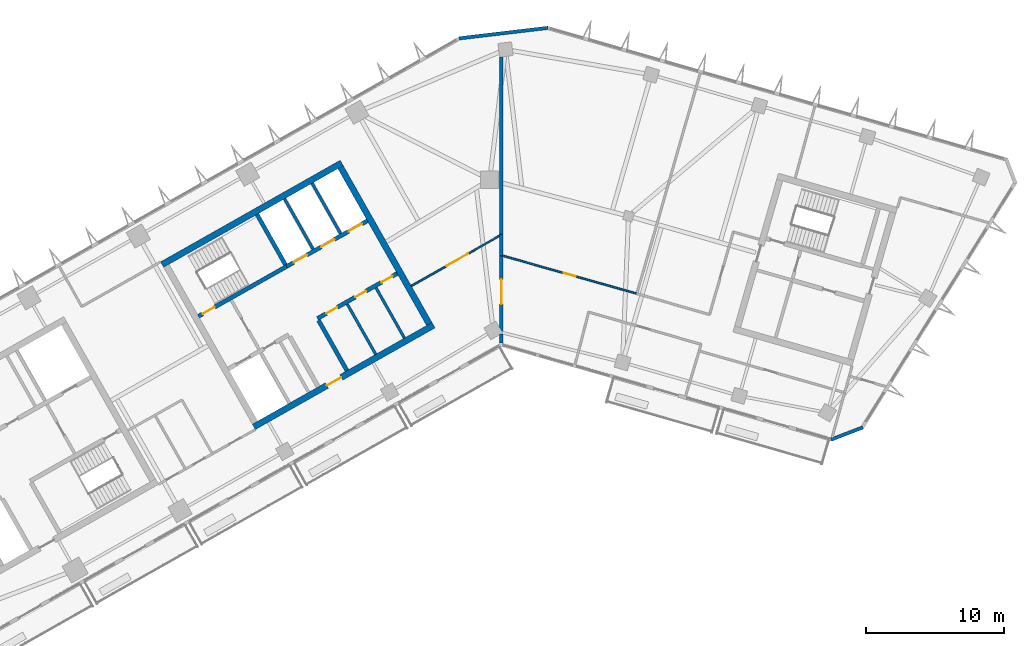
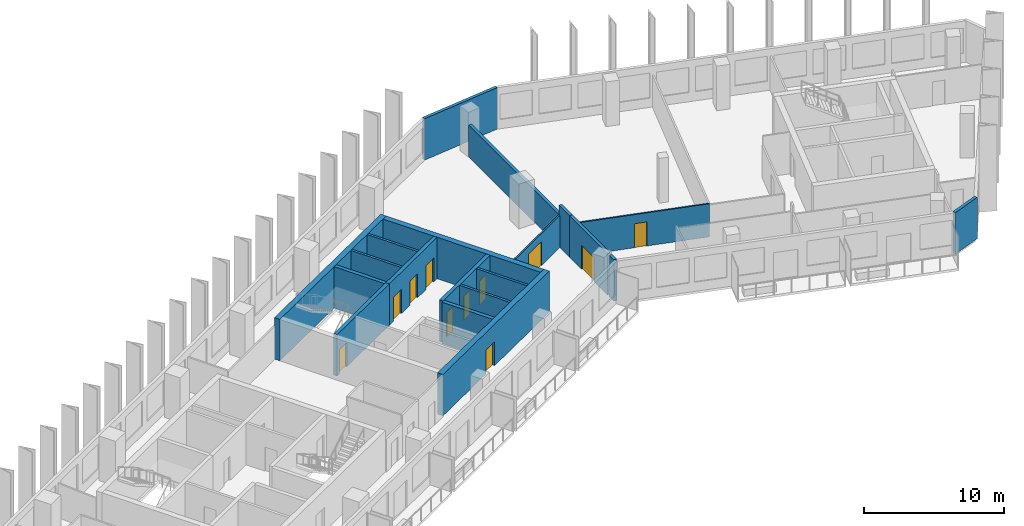
# One storey, part 6 of 12: 20 walls, 11 doors, 11 openings.
"""IFC4 building model written with IfcOpenShell, lengths in metres."""

import ifcopenshell
import ifcopenshell.guid

model = None  # the IFC model being written
_history = None  # IfcOwnerHistory: only IFC2X3 demands one
_inside = {}  # id of a spatial element -> (the spatial element, [elements in it])
_under = {}  # id of a project, library or spatial element -> (it, [spatial elements below it])
_declared = {}  # id of a project -> (the project, [libraries it declares])
_typed = {}  # id of a type object -> (the type object, [elements of that type])
_made_of = {}  # id of a material, layer set ... -> (it, [elements and type objects made of it])


def new_model(schema):
    """Start an empty IFC model of exactly this schema.

    Asked for "IFC4X3", IfcOpenShell would pick the latest addendum, in which some entities
    have other attributes; the version numbers below select the first issue.
    IFC2X3 requires an IfcOwnerHistory on every rooted entity: one is made here for all.
    """
    global model, _history
    if schema == "IFC4X3":
        model = ifcopenshell.file(schema_version=(4, 3, 0, 0))
    else:
        model = ifcopenshell.file(schema=schema)
    _inside.clear()
    _under.clear()
    _declared.clear()
    _typed.clear()
    _made_of.clear()
    _history = None
    if model.schema == "IFC2X3":
        org = make("IfcOrganization", Name="unknown")
        user = make(
            "IfcPersonAndOrganization",
            ThePerson=make("IfcPerson", FamilyName="unknown"),
            TheOrganization=org,
        )
        app = make(
            "IfcApplication",
            ApplicationDeveloper=org,
            Version="unknown",
            ApplicationFullName="unknown",
            ApplicationIdentifier="unknown",
        )
        _history = make(
            "IfcOwnerHistory",
            OwningUser=user,
            OwningApplication=app,
            ChangeAction="ADDED",
            CreationDate=0,
        )
    return model


def make(cls, **values):
    """One entity of the class cls with the attributes given. An attribute that is None is left unset."""
    return model.create_entity(
        cls, **{name: value for name, value in values.items() if value is not None}
    )


def rooted(cls, **values):
    """An entity with a GlobalId (a new one), such as an element, a storey or a relation."""
    return make(cls, GlobalId=ifcopenshell.guid.new(), OwnerHistory=_history, **values)


def si_unit(unit_type, name, prefix=None):
    """IfcSIUnit, for example si_unit("LENGTHUNIT", "METRE", prefix="MILLI")."""
    return make("IfcSIUnit", UnitType=unit_type, Prefix=prefix, Name=name)


def assignment(units):
    """IfcUnitAssignment: the units of a project."""
    return None if units is None else make("IfcUnitAssignment", Units=units)


def point(xyz):
    """IfcCartesianPoint."""
    return None if xyz is None else make("IfcCartesianPoint", Coordinates=xyz)


def direction(xyz):
    """IfcDirection."""
    return None if xyz is None else make("IfcDirection", DirectionRatios=xyz)


def frame(location, z_axis=None, x_axis=None):
    """IfcAxis2Placement3D, a coordinate frame: its origin and axes. An axis left out is left unset."""
    return make(
        "IfcAxis2Placement3D",
        Location=point(location),
        Axis=direction(z_axis),
        RefDirection=direction(x_axis),
    )


def frame_2d(location, x_axis=None):
    """IfcAxis2Placement2D, a coordinate frame in the plane: its origin and x axis."""
    return make(
        "IfcAxis2Placement2D", Location=point(location), RefDirection=direction(x_axis)
    )


def origin():
    """The frame at (0, 0, 0) with its axes left unset."""
    return frame((0.0, 0.0, 0.0))


def place(relative_to, where):
    """IfcLocalPlacement: puts the frame where relative to a parent placement (None: the world)."""
    return make(
        "IfcLocalPlacement", PlacementRelTo=relative_to, RelativePlacement=where
    )


def context(
    kind, dimensions, precision=None, world=None, true_north=None, identifier=None
):
    """IfcGeometricRepresentationContext, for example the 3D "Model" context."""
    return make(
        "IfcGeometricRepresentationContext",
        ContextIdentifier=identifier,
        ContextType=kind,
        CoordinateSpaceDimension=dimensions,
        Precision=precision,
        WorldCoordinateSystem=world,
        TrueNorth=true_north,
    )


def subcontext(parent, identifier, kind, view, scale=None):
    """IfcGeometricRepresentationSubContext, for example "Body" below "Model"."""
    return make(
        "IfcGeometricRepresentationSubContext",
        ContextIdentifier=identifier,
        ContextType=kind,
        ParentContext=parent,
        TargetScale=scale,
        TargetView=view,
    )


def project(units=None, contexts=None):
    """IfcProject with its units and contexts."""
    return rooted(
        "IfcProject",
        Name="project",
        RepresentationContexts=contexts,
        UnitsInContext=assignment(units),
    )


def spatial(cls, under=None, at=None, **own):
    """A site, building, storey or space (cls), placed at a placement, below another one or the project."""
    s = rooted(cls, ObjectPlacement=at, **own)
    if under is not None:
        _under.setdefault(under.id(), (under, []))[1].append(s)
    return s


def profile(cls, at=None, kind="AREA", **sizes):
    """A parametric profile (cls). Its sizes go by their IFC names, for example OverallWidth=200.0."""
    return make(cls, ProfileType=kind, Position=at, **sizes)


def rectangle(**sizes):
    """IfcRectangleProfileDef."""
    return profile("IfcRectangleProfileDef", **sizes)


def extrude(swept, where, along, depth):
    """IfcExtrudedAreaSolid: the profile swept, set in the frame where, extruded along a direction by depth."""
    return make(
        "IfcExtrudedAreaSolid",
        SweptArea=swept,
        Position=where,
        ExtrudedDirection=direction(along),
        Depth=depth,
    )


def shape(context_of_items, identifier, shape_type, items):
    """IfcShapeRepresentation: the items that make up one representation, for example the "Body"."""
    return make(
        "IfcShapeRepresentation",
        ContextOfItems=context_of_items,
        RepresentationIdentifier=identifier,
        RepresentationType=shape_type,
        Items=items,
    )


def material(Name=None, Category=None):
    """IfcMaterial."""
    return make("IfcMaterial", Name=Name, Category=Category)


def layer(
    of_material, thickness, ventilated=None, Name=None, Category=None, Priority=None
):
    """IfcMaterialLayer: one layer of a wall or slab, of a material (None: an air gap)."""
    return make(
        "IfcMaterialLayer",
        Material=of_material,
        LayerThickness=thickness,
        IsVentilated=ventilated,
        Name=Name,
        Category=Category,
        Priority=Priority,
    )


def layer_set(layers, Name=None):
    """IfcMaterialLayerSet."""
    return make("IfcMaterialLayerSet", MaterialLayers=layers, LayerSetName=Name)


def made_of(thing, what):
    """Note that an element or type object is made of a material, layer set ...; save() writes the relation."""
    if what is not None:
        _made_of.setdefault(what.id(), (what, []))[1].append(thing)
    return thing


def type_object(cls, material=None, **own):
    """A type object (cls), such as IfcWallType, which elements share."""
    return made_of(rooted(cls, **own), material)


def element(
    cls,
    number,
    at=None,
    inside=None,
    cuts=None,
    type_object=None,
    material=None,
    context=None,
    identifier="Body",
    shape_type=None,
    held_by="IfcProductDefinitionShape",
    body=None,
    shapes=None,
    **own,
):
    """One element of the class cls, such as IfcWall. Its Tag is "e" and its number.

    at: its placement. inside: the storey or other place that contains it. cuts: it is an
    opening in that element (IfcRelVoidsElement). A single representation is given by context,
    identifier, shape_type and body (its items); several are given by shapes. held_by: the class
    of the entity that holds the representations. save() writes the other relations.
    """
    e = rooted(cls, Tag="e%d" % number, ObjectPlacement=at, **own)
    if body is not None:
        shapes = [shape(context, identifier, shape_type, body)]
    if shapes is not None:
        e.Representation = make(held_by, Representations=shapes)
    if inside is not None:
        _inside.setdefault(inside.id(), (inside, []))[1].append(e)
    if cuts is not None:
        rooted(
            "IfcRelVoidsElement", RelatingBuildingElement=cuts, RelatedOpeningElement=e
        )
    if type_object is not None:
        _typed.setdefault(type_object.id(), (type_object, []))[1].append(e)
    return made_of(e, material)


def fill(opening, filler):
    """IfcRelFillsElement: the door or window that sits in an opening."""
    return rooted(
        "IfcRelFillsElement",
        RelatingOpeningElement=opening,
        RelatedBuildingElement=filler,
    )


def aggregate(whole, parts):
    """IfcRelAggregates: a whole, such as a stair, and the parts it consists of."""
    return rooted("IfcRelAggregates", RelatingObject=whole, RelatedObjects=parts)


def save(model, path):
    """Write the relations noted so far, then the file.

    IfcRelAggregates (storeys below a building ...), IfcRelContainedInSpatialStructure (elements
    in a storey), IfcRelDefinesByType, IfcRelAssociatesMaterial and IfcRelDeclares: one each for
    every whole, place, type object, material and project.
    """
    for whole, parts in _under.values():
        aggregate(whole, parts)
    for where, things in _inside.values():
        rooted(
            "IfcRelContainedInSpatialStructure",
            RelatedElements=things,
            RelatingStructure=where,
        )
    for kind, things in _typed.values():
        rooted("IfcRelDefinesByType", RelatedObjects=things, RelatingType=kind)
    for what, things in _made_of.values():
        rooted("IfcRelAssociatesMaterial", RelatedObjects=things, RelatingMaterial=what)
    for by, libraries in _declared.values():
        rooted("IfcRelDeclares", RelatingContext=by, RelatedDefinitions=libraries)
    model.write(path)


model = new_model("IFC4")

# Units and contexts
model_context = context("Model", 3, precision=1e-05, world=origin(), true_north=direction((0.0, 1.0)))
body_context = subcontext(model_context, "Body", "Model", "MODEL_VIEW")
ifc_project = project(units=[si_unit("LENGTHUNIT", "METRE"), si_unit("AREAUNIT", "SQUARE_METRE"), si_unit("VOLUMEUNIT", "CUBIC_METRE"), si_unit("PLANEANGLEUNIT", "RADIAN"), si_unit("MASSUNIT", "GRAM", prefix="KILO")], contexts=[model_context])

# Site, building, storey
site_placement = place(None, origin())
site = spatial("IfcSite", under=ifc_project, at=site_placement, CompositionType="ELEMENT")
building_placement = place(site_placement, origin())
building = spatial("IfcBuilding", under=site, at=building_placement, Name="Binnacle Exchange Tower", CompositionType="ELEMENT")
storey_placement = place(building_placement, frame((0.0, 0.0, 238.699951171875)))
storey = spatial("IfcBuildingStorey", under=building, at=storey_placement, Name="L52", CompositionType="ELEMENT", Elevation=238.699951171875)

# Walls
ifc_material_1 = material(Name="Gypsum partition fire rated")
ifc_layer_1 = layer(ifc_material_1, 0.199951171875)
ifc_layer_set_1 = layer_set([ifc_layer_1], Name="Core partition 200")
wall_type_1 = type_object("IfcWallType", Name="Core partition 200", PredefinedType="PARTITIONING", material=ifc_layer_set_1)
wall_1_placement = place(storey_placement, frame((-11.201904296875, 50.96240234375, 0.0), z_axis=(0.0, 0.0, 1.0), x_axis=(0.492453686477, -0.870338650569, 0.0)))
element("IfcWall", 1, at=wall_1_placement, inside=storey, type_object=wall_type_1, Name="Core wall CRWC19", PredefinedType="PARTITIONING", context=body_context, shape_type="SweptSolid", body=[
    extrude(rectangle(XDim=4.2001953125, YDim=0.199951171875, at=frame_2d((2.10009765625, 0.0))), origin(), (0.0, 0.0, 1.0), 3.6201171875),
])
wall_2_placement = place(storey_placement, frame((-9.11279296875, 52.14404296875, 0.0), z_axis=(0.0, 0.0, 1.0), x_axis=(0.492365617434, -0.870388475779, 0.0)))
element("IfcWall", 2, at=wall_2_placement, inside=storey, type_object=wall_type_1, Name="Core wall CRWC22", PredefinedType="PARTITIONING", context=body_context, shape_type="SweptSolid", body=[
    extrude(rectangle(XDim=4.199951171875, YDim=0.199951171875, at=frame_2d((2.10009765625, 0.0))), origin(), (0.0, 0.0, 1.0), 3.6201171875),
])

# Wall, openings, doors
ifc_material_2 = material(Name="Concrete C70/85", Category="concrete")
ifc_layer_2 = layer(ifc_material_2, 0.300048828125)
ifc_layer_set_2 = layer_set([ifc_layer_2], Name="Core wall - front 300")
wall_type_2 = type_object("IfcWallType", Name="Core wall - front 300", PredefinedType="SOLIDWALL", material=ifc_layer_set_2)
wall_3_placement = place(storey_placement, frame((-13.364501953125, 49.910888671875, 0.0), z_axis=(0.0, 0.0, 1.0), x_axis=(0.870352159619, 0.492429810477, 0.0)))
wall_3 = element("IfcWall", 3, at=wall_3_placement, inside=storey, type_object=wall_type_2, Name="Core wall CRWC3", PredefinedType="SOLIDWALL", context=body_context, shape_type="SweptSolid", body=[
    extrude(rectangle(XDim=6.64990234375, YDim=0.300048828125, at=frame_2d((3.324951171875, 0.0))), origin(), (0.0, 0.0, 1.0), 3.6201171875),
])
opening_1_placement = place(wall_3_placement, frame((0.75, 0.0, 0.0)))
opening_1 = element("IfcOpeningElement", 4, at=opening_1_placement, cuts=wall_3, Name="Opening DC18", PredefinedType="OPENING", context=body_context, shape_type="SweptSolid", body=[
    extrude(rectangle(XDim=0.89990234375, YDim=2.10009765625, at=frame_2d((0.449951171875, 1.050048828125))), frame((0.0, 0.159912109375, 0.0), z_axis=(0.0, -1.0, 0.0), x_axis=(1.0, 0.0, 0.0)), (0.0, 0.0, 1.0), 0.320068359375),
])
opening_2_placement = place(wall_3_placement, frame((3.14990234375, 0.0, 0.0)))
opening_2 = element("IfcOpeningElement", 5, at=opening_2_placement, cuts=wall_3, Name="Opening DC19", PredefinedType="OPENING", context=body_context, shape_type="SweptSolid", body=[
    extrude(rectangle(XDim=0.89990234375, YDim=2.10009765625, at=frame_2d((0.449951171875, 1.050048828125))), frame((0.0, 0.159912109375, 0.0), z_axis=(0.0, -1.0, 0.0), x_axis=(1.0, 0.0, 0.0)), (0.0, 0.0, 1.0), 0.320068359375),
])
opening_3_placement = place(wall_3_placement, frame((5.35009765625, 0.0, 0.0)))
opening_3 = element("IfcOpeningElement", 6, at=opening_3_placement, cuts=wall_3, Name="Opening DC20", PredefinedType="OPENING", context=body_context, shape_type="SweptSolid", body=[
    extrude(rectangle(XDim=0.89990234375, YDim=2.10009765625, at=frame_2d((0.449951171875, 1.050048828125))), frame((0.0, 0.159912109375, 0.0), z_axis=(0.0, -1.0, 0.0), x_axis=(1.0, 0.0, 0.0)), (0.0, 0.0, 1.0), 0.320068359375),
])
ifc_material_3 = material(Name="Steel door leaf", Category="steel")
door_type_1 = type_object("IfcDoorType", Name="Fire door 900", OperationType="NOTDEFINED", PredefinedType="DOOR", material=ifc_material_3)
door_1_placement = place(opening_1_placement, frame((0.89990234375, 0.0, 0.0), z_axis=(0.0, 0.0, 1.0), x_axis=(-1.0, 0.0, 0.0)))
door_1 = element("IfcDoor", 7, at=door_1_placement, inside=storey, type_object=door_type_1, Name="Core room door IT STORE", OperationType="SINGLE_SWING_RIGHT", OverallHeight=2.10009765625, OverallWidth=0.89990234375, PredefinedType="DOOR", context=body_context, shape_type="SweptSolid", body=[
    extrude(rectangle(XDim=0.89990234375, YDim=2.10009765625, at=frame_2d((0.449951171875, 1.050048828125))), frame((0.0, 0.02490234375, 0.0), z_axis=(0.0, -1.0, 0.0), x_axis=(1.0, 0.0, 0.0)), (0.0, 0.0, 1.0), 0.050048828125),
])
fill(opening_1, door_1)
door_2_placement = place(opening_2_placement, frame((0.89990234375, 0.0, 0.0), z_axis=(0.0, 0.0, 1.0), x_axis=(-1.0, 0.0, 0.0)))
door_2 = element("IfcDoor", 8, at=door_2_placement, inside=storey, type_object=door_type_1, Name="Core room door UPS CUPBOARD", OperationType="SINGLE_SWING_LEFT", OverallHeight=2.10009765625, OverallWidth=0.89990234375, PredefinedType="DOOR", context=body_context, shape_type="SweptSolid", body=[
    extrude(rectangle(XDim=0.89990234375, YDim=2.10009765625, at=frame_2d((0.449951171875, 1.050048828125))), frame((0.0, 0.02490234375, 0.0), z_axis=(0.0, -1.0, 0.0), x_axis=(1.0, 0.0, 0.0)), (0.0, 0.0, 1.0), 0.050048828125),
])
fill(opening_2, door_2)
door_3_placement = place(opening_3_placement, frame((0.89990234375, 0.0, 0.0), z_axis=(0.0, 0.0, 1.0), x_axis=(-1.0, 0.0, 0.0)))
door_3 = element("IfcDoor", 9, at=door_3_placement, inside=storey, type_object=door_type_1, Name="Core room door FIBRE ENTRY ROOM", OperationType="SINGLE_SWING_LEFT", OverallHeight=2.10009765625, OverallWidth=0.89990234375, PredefinedType="DOOR", context=body_context, shape_type="SweptSolid", body=[
    extrude(rectangle(XDim=0.89990234375, YDim=2.10009765625, at=frame_2d((0.449951171875, 1.050048828125))), frame((0.0, 0.02490234375, 0.0), z_axis=(0.0, -1.0, 0.0), x_axis=(1.0, 0.0, 0.0)), (0.0, 0.0, 1.0), 0.050048828125),
])
fill(opening_3, door_3)

wall_4_placement = place(storey_placement, frame((-15.6181640625, 53.69140625, 0.0), z_axis=(0.0, 0.0, 1.0), x_axis=(0.870358646884, 0.492418344291, 0.0)))
wall_4 = element("IfcWall", 10, at=wall_4_placement, inside=storey, type_object=wall_type_2, Name="Core wall CRWC5", PredefinedType="SOLIDWALL", context=body_context, shape_type="SweptSolid", body=[
    extrude(rectangle(XDim=6.749755859375, YDim=0.300048828125, at=frame_2d((3.375, 0.0))), origin(), (0.0, 0.0, 1.0), 3.6201171875),
])
opening_4_placement = place(wall_4_placement, frame((0.60009765625, 0.0, 0.0)))
opening_4 = element("IfcOpeningElement", 11, at=opening_4_placement, cuts=wall_4, Name="Opening LD5", PredefinedType="OPENING", context=body_context, shape_type="SweptSolid", body=[
    extrude(rectangle(XDim=1.10009765625, YDim=2.10009765625, at=frame_2d((0.550048828125, 1.050048828125))), frame((0.0, 0.159912109375, 0.0), z_axis=(0.0, -1.0, 0.0), x_axis=(1.0, 0.0, 0.0)), (0.0, 0.0, 1.0), 0.320068359375),
])
opening_5_placement = place(wall_4_placement, frame((2.89990234375, 0.0, 0.0)))
opening_5 = element("IfcOpeningElement", 12, at=opening_5_placement, cuts=wall_4, Name="Opening LD6", PredefinedType="OPENING", context=body_context, shape_type="SweptSolid", body=[
    extrude(rectangle(XDim=1.10009765625, YDim=2.10009765625, at=frame_2d((0.550048828125, 1.050048828125))), frame((0.0, 0.159912109375, 0.0), z_axis=(0.0, -1.0, 0.0), x_axis=(1.0, 0.0, 0.0)), (0.0, 0.0, 1.0), 0.320068359375),
])
opening_6_placement = place(wall_4_placement, frame((5.199951171875, 0.0, 0.0)))
opening_6 = element("IfcOpeningElement", 13, at=opening_6_placement, cuts=wall_4, Name="Opening LD7", PredefinedType="OPENING", context=body_context, shape_type="SweptSolid", body=[
    extrude(rectangle(XDim=1.10009765625, YDim=2.10009765625, at=frame_2d((0.550048828125, 1.050048828125))), frame((0.0, 0.159912109375, 0.0), z_axis=(0.0, -1.0, 0.0), x_axis=(1.0, 0.0, 0.0)), (0.0, 0.0, 1.0), 0.320068359375),
])
door_type_2 = type_object("IfcDoorType", Name="Fire door - lift landing 1100", OperationType="NOTDEFINED", PredefinedType="DOOR", material=ifc_material_3)
door_4_placement = place(opening_4_placement, origin())
door_4 = element("IfcDoor", 14, at=door_4_placement, inside=storey, type_object=door_type_2, Name="Landing door LD5 L52", OperationType="DOUBLE_DOOR_SLIDING", OverallHeight=2.10009765625, OverallWidth=1.10009765625, PredefinedType="DOOR", context=body_context, shape_type="SweptSolid", body=[
    extrude(rectangle(XDim=1.10009765625, YDim=2.10009765625, at=frame_2d((0.550048828125, 1.050048828125))), frame((0.0, 0.02490234375, 0.0), z_axis=(0.0, -1.0, 0.0), x_axis=(1.0, 0.0, 0.0)), (0.0, 0.0, 1.0), 0.050048828125),
])
fill(opening_4, door_4)
door_5_placement = place(opening_5_placement, origin())
door_5 = element("IfcDoor", 15, at=door_5_placement, inside=storey, type_object=door_type_2, Name="Landing door LD6 L52", OperationType="DOUBLE_DOOR_SLIDING", OverallHeight=2.10009765625, OverallWidth=1.10009765625, PredefinedType="DOOR", context=body_context, shape_type="SweptSolid", body=[
    extrude(rectangle(XDim=1.10009765625, YDim=2.10009765625, at=frame_2d((0.550048828125, 1.050048828125))), frame((0.0, 0.02490234375, 0.0), z_axis=(0.0, -1.0, 0.0), x_axis=(1.0, 0.0, 0.0)), (0.0, 0.0, 1.0), 0.050048828125),
])
fill(opening_5, door_5)
door_6_placement = place(opening_6_placement, origin())
door_6 = element("IfcDoor", 16, at=door_6_placement, inside=storey, type_object=door_type_2, Name="Landing door LD7 L52", OperationType="DOUBLE_DOOR_SLIDING", OverallHeight=2.10009765625, OverallWidth=1.10009765625, PredefinedType="DOOR", context=body_context, shape_type="SweptSolid", body=[
    extrude(rectangle(XDim=1.10009765625, YDim=2.10009765625, at=frame_2d((0.550048828125, 1.050048828125))), frame((0.0, 0.02490234375, 0.0), z_axis=(0.0, -1.0, 0.0), x_axis=(1.0, 0.0, 0.0)), (0.0, 0.0, 1.0), 0.050048828125),
])
fill(opening_6, door_6)

# Wall
wall_5_placement = place(storey_placement, frame((-13.29052734375, 49.780517578125, 0.0), z_axis=(0.0, 0.0, 1.0), x_axis=(0.492409653846, -0.870363563575, 0.0)))
element("IfcWall", 17, at=wall_5_placement, inside=storey, type_object=wall_type_2, Name="Core wall CRWC15", PredefinedType="SOLIDWALL", context=body_context, shape_type="SweptSolid", body=[
    extrude(rectangle(XDim=4.199951171875, YDim=0.300048828125, at=frame_2d((2.10009765625, 0.0))), origin(), (0.0, 0.0, 1.0), 3.6201171875),
])

# Wall, opening, door
ifc_layer_3 = layer(ifc_material_2, 0.449951171875)
ifc_layer_set_3 = layer_set([ifc_layer_3], Name="Core wall - outer 450")
wall_type_3 = type_object("IfcWallType", Name="Core wall - outer 450", PredefinedType="SOLIDWALL", material=ifc_layer_set_3)
wall_6_placement = place(storey_placement, frame((-17.987548828125, 42.0390625, 0.0), z_axis=(0.0, 0.0, 1.0), x_axis=(0.870360574057, 0.492414937962, 0.0)))
wall_6 = element("IfcWall", 18, at=wall_6_placement, inside=storey, type_object=wall_type_3, Name="Core wall CRWC1", PredefinedType="SOLIDWALL", context=body_context, shape_type="SweptSolid", body=[
    extrude(rectangle(XDim=15.0, YDim=0.449951171875, at=frame_2d((7.5, 0.0))), origin(), (0.0, 0.0, 1.0), 3.6201171875),
])
opening_7_placement = place(wall_6_placement, frame((6.10009765625, 0.0, 0.0)))
opening_7 = element("IfcOpeningElement", 19, at=opening_7_placement, cuts=wall_6, Name="Opening DC7", PredefinedType="OPENING", context=body_context, shape_type="SweptSolid", body=[
    extrude(rectangle(XDim=1.199951171875, YDim=2.10009765625, at=frame_2d((0.60009765625, 1.050048828125))), frame((0.0, 0.23486328125, 0.0), z_axis=(0.0, -1.0, 0.0), x_axis=(1.0, 0.0, 0.0)), (0.0, 0.0, 1.0), 0.469970703125),
])
door_type_3 = type_object("IfcDoorType", Name="Fire door 1200", OperationType="NOTDEFINED", PredefinedType="DOOR", material=ifc_material_3)
door_7_placement = place(opening_7_placement, frame((1.199951171875, 0.0, 0.0), z_axis=(0.0, 0.0, 1.0), x_axis=(-1.0, 0.0, 0.0)))
door_7 = element("IfcDoor", 20, at=door_7_placement, inside=storey, type_object=door_type_3, Name="Lift lobby entrance door core C", OperationType="SINGLE_SWING_RIGHT", OverallHeight=2.10009765625, OverallWidth=1.199951171875, PredefinedType="DOOR", context=body_context, shape_type="SweptSolid", body=[
    extrude(rectangle(XDim=1.199951171875, YDim=2.10009765625, at=frame_2d((0.60009765625, 1.050048828125))), frame((0.0, 0.02490234375, 0.0), z_axis=(0.0, -1.0, 0.0), x_axis=(1.0, 0.0, 0.0)), (0.0, 0.0, 1.0), 0.050048828125),
])
fill(opening_7, door_7)

# Walls
wall_7_placement = place(storey_placement, frame((-24.659912109375, 53.832275390625, 0.0), z_axis=(0.0, 0.0, 1.0), x_axis=(0.870353598469, 0.492427267353, 0.0)))
element("IfcWall", 21, at=wall_7_placement, inside=storey, type_object=wall_type_3, Name="Core wall CRWC6", PredefinedType="SOLIDWALL", context=body_context, shape_type="SweptSolid", body=[
    extrude(rectangle(XDim=15.000244140625, YDim=0.449951171875, at=frame_2d((7.5, 0.0))), origin(), (0.0, 0.0, 1.0), 3.6201171875),
])
wall_8_placement = place(storey_placement, frame((-11.689453125, 60.912109375, 0.0), z_axis=(0.0, 0.0, 1.0), x_axis=(0.492421378713, -0.870356930107, 0.0)))
element("IfcWall", 22, at=wall_8_placement, inside=storey, type_object=wall_type_3, Name="Core wall CRWC24", PredefinedType="SOLIDWALL", context=body_context, shape_type="SweptSolid", body=[
    extrude(rectangle(XDim=13.099853515625, YDim=0.449951171875, at=frame_2d((6.5498046875, 0.0))), origin(), (0.0, 0.0, 1.0), 3.6201171875),
])

# Wall, opening, door
ifc_layer_4 = layer(ifc_material_2, 0.300048828125)
ifc_layer_set_4 = layer_set([ifc_layer_4], Name="Core wall - stair 300")
wall_type_4 = type_object("IfcWallType", Name="Core wall - stair 300", PredefinedType="SOLIDWALL", material=ifc_layer_set_4)
wall_9_placement = place(storey_placement, frame((-22.015380859375, 50.072021484375, 0.0), z_axis=(0.0, 0.0, 1.0), x_axis=(0.870354900257, 0.492424966466, 0.0)))
wall_9 = element("IfcWall", 23, at=wall_9_placement, inside=storey, type_object=wall_type_4, Name="Core wall CRWC4", PredefinedType="SOLIDWALL", context=body_context, shape_type="SweptSolid", body=[
    extrude(rectangle(XDim=7.35009765625, YDim=0.300048828125, at=frame_2d((3.675048828125, 0.0))), origin(), (0.0, 0.0, 1.0), 3.6201171875),
])
opening_8_placement = place(wall_9_placement, frame((0.35009765625, 0.0, 0.0)))
opening_8 = element("IfcOpeningElement", 24, at=opening_8_placement, cuts=wall_9, Name="Opening DC1", PredefinedType="OPENING", context=body_context, shape_type="SweptSolid", body=[
    extrude(rectangle(XDim=1.0, YDim=2.10009765625, at=frame_2d((0.5, 1.050048828125))), frame((0.0, 0.159912109375, 0.0), z_axis=(0.0, -1.0, 0.0), x_axis=(1.0, 0.0, 0.0)), (0.0, 0.0, 1.0), 0.320068359375),
])
door_type_4 = type_object("IfcDoorType", Name="Fire door 1000", OperationType="NOTDEFINED", PredefinedType="DOOR", material=ifc_material_3)
door_8_placement = place(opening_8_placement, origin())
door_8 = element("IfcDoor", 25, at=door_8_placement, inside=storey, type_object=door_type_4, Name="Stair door ST-C1", OperationType="SINGLE_SWING_LEFT", OverallHeight=2.10009765625, OverallWidth=1.0, PredefinedType="DOOR", context=body_context, shape_type="SweptSolid", body=[
    extrude(rectangle(XDim=1.0, YDim=2.10009765625, at=frame_2d((0.5, 1.050048828125))), frame((0.0, 0.02490234375, 0.0), z_axis=(0.0, -1.0, 0.0), x_axis=(1.0, 0.0, 0.0)), (0.0, 0.0, 1.0), 0.050048828125),
])
fill(opening_8, door_8)

# Walls
wall_10_placement = place(storey_placement, frame((-17.76025390625, 57.477294921875, 0.0), z_axis=(0.0, 0.0, 1.0), x_axis=(0.49243456751, -0.870349468157, 0.0)))
element("IfcWall", 26, at=wall_10_placement, inside=storey, type_object=wall_type_4, Name="Core wall CRWC14", PredefinedType="SOLIDWALL", context=body_context, shape_type="SweptSolid", body=[
    extrude(rectangle(XDim=4.19970703125, YDim=0.300048828125, at=frame_2d((2.099853515625, 0.0))), origin(), (0.0, 0.0, 1.0), 3.6201171875),
])
ifc_material_4 = material(Name="Bronze aluminium cladding", Category="aluminium")
ifc_layer_5 = layer(ifc_material_4, 0.25)
ifc_layer_set_5 = layer_set([ifc_layer_5], Name="External wall - window wall 250")
wall_type_5 = type_object("IfcWallType", Name="External wall - window wall 250", PredefinedType="STANDARD", material=ifc_layer_set_5)
wall_11_placement = place(storey_placement, frame((26.27001953125, 41.993408203125, 0.0), z_axis=(0.0, 0.0, 1.0), x_axis=(-0.933573798066, -0.358385216722, 0.0)))
element("IfcWall", 27, at=wall_11_placement, inside=storey, type_object=wall_type_5, Name="External wall EW-G03 L52", PredefinedType="STANDARD", context=body_context, shape_type="SweptSolid", body=[
    extrude(rectangle(XDim=2.479736328125, YDim=0.25, at=frame_2d((1.23974609375, 0.0))), origin(), (0.0, 0.0, 1.0), 3.6201171875),
])
wall_12_placement = place(storey_placement, frame((-3.0712890625, 70.2734375, 0.0), z_axis=(0.0, 0.0, 1.0), x_axis=(0.993064524962, 0.11757061394, 0.0)))
element("IfcWall", 28, at=wall_12_placement, inside=storey, type_object=wall_type_5, Name="External wall EW-G07 L52", PredefinedType="STANDARD", context=body_context, shape_type="SweptSolid", body=[
    extrude(rectangle(XDim=6.505859375, YDim=0.25, at=frame_2d((3.2529296875, 0.0))), origin(), (0.0, 0.0, 1.0), 3.6201171875),
])
ifc_material_5 = material(Name="Concrete fire wall C30/37", Category="concrete")
ifc_layer_6 = layer(ifc_material_5, 0.25)
ifc_layer_set_6 = layer_set([ifc_layer_6], Name="Fire wall - compartment 250")
wall_type_6 = type_object("IfcWallType", Name="Fire wall - compartment 250", PredefinedType="PARTITIONING", material=ifc_layer_set_6)
wall_13_placement = place(storey_placement, frame((0.0, 48.1298828125, 0.0), z_axis=(0.0, 0.0, 1.0), x_axis=(0.0, 1.0, 0.0)))
element("IfcWall", 29, at=wall_13_placement, inside=storey, type_object=wall_type_6, Name="Fire Wall W16", PredefinedType="PARTITIONING", context=body_context, shape_type="SweptSolid", body=[
    extrude(rectangle(XDim=0.674072265625, YDim=0.25, at=frame_2d((0.3369140625, 0.0))), origin(), (0.0, 0.0, 1.0), 3.6201171875),
])

# Wall, opening, door
wall_14_placement = place(storey_placement, frame((0.0, 49.014892578125, 0.0), z_axis=(0.0, 0.0, 1.0), x_axis=(0.0, 1.0, 0.0)))
wall_14 = element("IfcWall", 30, at=wall_14_placement, inside=storey, type_object=wall_type_6, Name="Fire Wall W17", PredefinedType="PARTITIONING", context=body_context, shape_type="SweptSolid", body=[
    extrude(rectangle(XDim=5.485107421875, YDim=0.25, at=frame_2d((2.74267578125, 0.0))), origin(), (0.0, 0.0, 1.0), 3.6201171875),
])
opening_9_placement = place(wall_14_placement, frame((1.949951171875, 0.0, 0.0)))
opening_9 = element("IfcOpeningElement", 31, at=opening_9_placement, cuts=wall_14, Name="Opening DL52-12", PredefinedType="OPENING", context=body_context, shape_type="SweptSolid", body=[
    extrude(rectangle(XDim=1.800048828125, YDim=2.10009765625, at=frame_2d((0.89990234375, 1.050048828125))), frame((0.0, 0.135009765625, 0.0), z_axis=(0.0, -1.0, 0.0), x_axis=(1.0, 0.0, 0.0)), (0.0, 0.0, 1.0), 0.27001953125),
])
door_type_5 = type_object("IfcDoorType", Name="Fire door 1800", OperationType="NOTDEFINED", PredefinedType="DOOR", material=ifc_material_3)
door_9_placement = place(opening_9_placement, origin())
door_9 = element("IfcDoor", 32, at=door_9_placement, inside=storey, type_object=door_type_5, Name="Door DL52-12", OperationType="DOUBLE_DOOR_SINGLE_SWING", OverallHeight=2.10009765625, OverallWidth=1.800048828125, PredefinedType="DOOR", context=body_context, shape_type="SweptSolid", body=[
    extrude(rectangle(XDim=1.800048828125, YDim=2.10009765625, at=frame_2d((0.89990234375, 1.050048828125))), frame((0.0, 0.02490234375, 0.0), z_axis=(0.0, -1.0, 0.0), x_axis=(1.0, 0.0, 0.0)), (0.0, 0.0, 1.0), 0.050048828125),
])
fill(opening_9, door_9)

# Walls
wall_15_placement = place(storey_placement, frame((0.0, 54.5, 0.0), z_axis=(0.0, 0.0, 1.0), x_axis=(0.0, 1.0, 0.0)))
element("IfcWall", 33, at=wall_15_placement, inside=storey, type_object=wall_type_6, Name="Fire Wall W18", PredefinedType="PARTITIONING", context=body_context, shape_type="SweptSolid", body=[
    extrude(rectangle(XDim=1.5, YDim=0.25, at=frame_2d((0.75, 0.0))), origin(), (0.0, 0.0, 1.0), 3.6201171875),
])
wall_16_placement = place(storey_placement, frame((0.0, 56.0, 0.0), z_axis=(0.0, 0.0, 1.0), x_axis=(0.0, 1.0, 0.0)))
element("IfcWall", 34, at=wall_16_placement, inside=storey, type_object=wall_type_6, Name="Fire Wall W20", PredefinedType="PARTITIONING", context=body_context, shape_type="SweptSolid", body=[
    extrude(rectangle(XDim=12.925048828125, YDim=0.25, at=frame_2d((6.46240234375, 0.0))), origin(), (0.0, 0.0, 1.0), 2.800048828125),
])

# Wall, opening, door
ifc_material_6 = material(Name="Gypsum partition")
ifc_layer_7 = layer(ifc_material_6, 0.125)
ifc_layer_set_7 = layer_set([ifc_layer_7], Name="Partition 125")
wall_type_7 = type_object("IfcWallType", Name="Partition 125", PredefinedType="PARTITIONING", material=ifc_layer_set_7)
wall_17_placement = place(storey_placement, frame((-6.544921875, 52.27587890625, 0.0), z_axis=(0.0, 0.0, 1.0), x_axis=(0.869147493537, 0.49455296428, 0.0)))
wall_17 = element("IfcWall", 35, at=wall_17_placement, inside=storey, type_object=wall_type_7, Name="Partition W15", PredefinedType="PARTITIONING", context=body_context, shape_type="SweptSolid", body=[
    extrude(rectangle(XDim=7.5302734375, YDim=0.125, at=frame_2d((3.76513671875, 0.0))), origin(), (0.0, 0.0, 1.0), 2.800048828125),
])
opening_10_placement = place(wall_17_placement, frame((2.949951171875, 0.0, 0.0)))
opening_10 = element("IfcOpeningElement", 36, at=opening_10_placement, cuts=wall_17, Name="Opening DL52-05", PredefinedType="OPENING", context=body_context, shape_type="SweptSolid", body=[
    extrude(rectangle(XDim=1.800048828125, YDim=2.10009765625, at=frame_2d((0.89990234375, 1.050048828125))), frame((0.0, 0.072509765625, 0.0), z_axis=(0.0, -1.0, 0.0), x_axis=(1.0, 0.0, 0.0)), (0.0, 0.0, 1.0), 0.14501953125),
])
ifc_material_7 = material(Name="Timber door leaf", Category="wood")
door_type_6 = type_object("IfcDoorType", Name="Double door 1800", OperationType="NOTDEFINED", PredefinedType="DOOR", material=ifc_material_7)
door_10_placement = place(opening_10_placement, origin())
door_10 = element("IfcDoor", 37, at=door_10_placement, inside=storey, type_object=door_type_6, Name="Door DL52-05", OperationType="DOUBLE_DOOR_SINGLE_SWING", OverallHeight=2.10009765625, OverallWidth=1.800048828125, PredefinedType="DOOR", context=body_context, shape_type="SweptSolid", body=[
    extrude(rectangle(XDim=1.800048828125, YDim=2.10009765625, at=frame_2d((0.89990234375, 1.050048828125))), frame((0.0, 0.02490234375, 0.0), z_axis=(0.0, -1.0, 0.0), x_axis=(1.0, 0.0, 0.0)), (0.0, 0.0, 1.0), 0.050048828125),
])
fill(opening_10, door_10)

wall_18_placement = place(storey_placement, frame((0.0, 54.5, 0.0), z_axis=(0.0, 0.0, 1.0), x_axis=(0.962263108276, -0.272120764462, 0.0)))
wall_18 = element("IfcWall", 38, at=wall_18_placement, inside=storey, type_object=wall_type_7, Name="Partition W19", PredefinedType="PARTITIONING", context=body_context, shape_type="SweptSolid", body=[
    extrude(rectangle(XDim=10.234130859375, YDim=0.125, at=frame_2d((5.1171875, 0.0))), origin(), (0.0, 0.0, 1.0), 2.900146484375),
])
opening_11_placement = place(wall_18_placement, frame((4.699951171875, 0.0, 0.0)))
opening_11 = element("IfcOpeningElement", 39, at=opening_11_placement, cuts=wall_18, Name="Opening DL52-06", PredefinedType="OPENING", context=body_context, shape_type="SweptSolid", body=[
    extrude(rectangle(XDim=0.89990234375, YDim=2.10009765625, at=frame_2d((0.449951171875, 1.050048828125))), frame((0.0, 0.072509765625, 0.0), z_axis=(0.0, -1.0, 0.0), x_axis=(1.0, 0.0, 0.0)), (0.0, 0.0, 1.0), 0.14501953125),
])
door_type_7 = type_object("IfcDoorType", Name="Door 900", OperationType="NOTDEFINED", PredefinedType="DOOR", material=ifc_material_7)
door_11_placement = place(opening_11_placement, origin())
door_11 = element("IfcDoor", 40, at=door_11_placement, inside=storey, type_object=door_type_7, Name="Door DL52-06", OperationType="SINGLE_SWING_RIGHT", OverallHeight=2.10009765625, OverallWidth=0.89990234375, PredefinedType="DOOR", context=body_context, shape_type="SweptSolid", body=[
    extrude(rectangle(XDim=0.89990234375, YDim=2.10009765625, at=frame_2d((0.449951171875, 1.050048828125))), frame((0.0, 0.02490234375, 0.0), z_axis=(0.0, -1.0, 0.0), x_axis=(1.0, 0.0, 0.0)), (0.0, 0.0, 1.0), 0.050048828125),
])
fill(opening_11, door_11)

# Walls
ifc_material_8 = material(Name="Masonry block wall", Category="masonry")
ifc_layer_8 = layer(ifc_material_8, 0.199951171875)
ifc_layer_set_8 = layer_set([ifc_layer_8], Name="Shaft wall 200")
wall_type_8 = type_object("IfcWallType", Name="Shaft wall 200", PredefinedType="SOLIDWALL", material=ifc_layer_set_8)
for number, where, z_axis, x_axis, name in (
    (41, (-15.75830078125, 58.60986328125, 0.0), (0.0, 0.0, 1.0), (0.492409653846, -0.870363563575, 0.0), "Core wall CRWC18"),
    (42, (-13.756591796875, 59.742431640625, 0.0), (0.0, 0.0, 1.0), (0.492409653846, -0.870363563575, 0.0), "Core wall CRWC21"),
):
    element("IfcWall", number, at=place(storey_placement, frame(where, z_axis=z_axis, x_axis=x_axis)), inside=storey, type_object=wall_type_8, Name=name, PredefinedType="SOLIDWALL", context=body_context, shape_type="SweptSolid", body=[
        extrude(rectangle(XDim=4.199951171875, YDim=0.199951171875, at=frame_2d((2.10009765625, 0.0))), origin(), (0.0, 0.0, 1.0), 3.6201171875),
    ])

save(model, "model.ifc")
